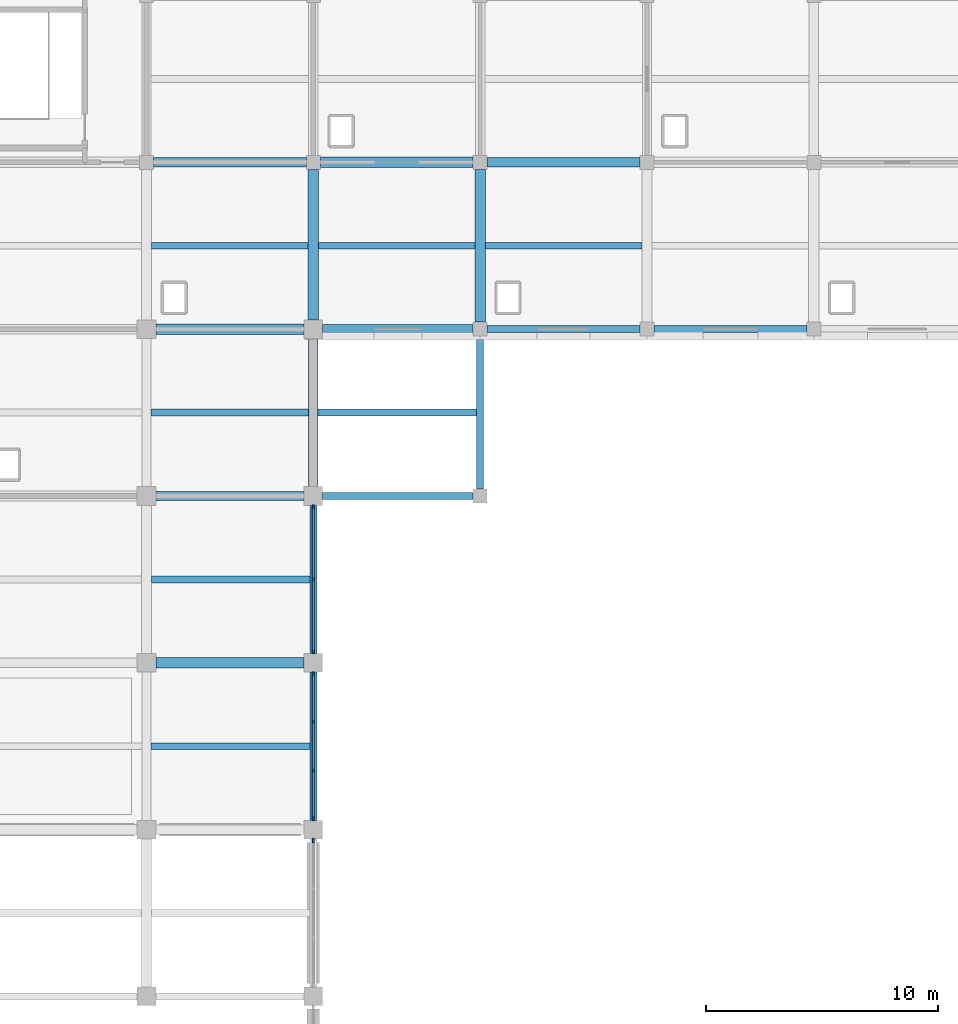
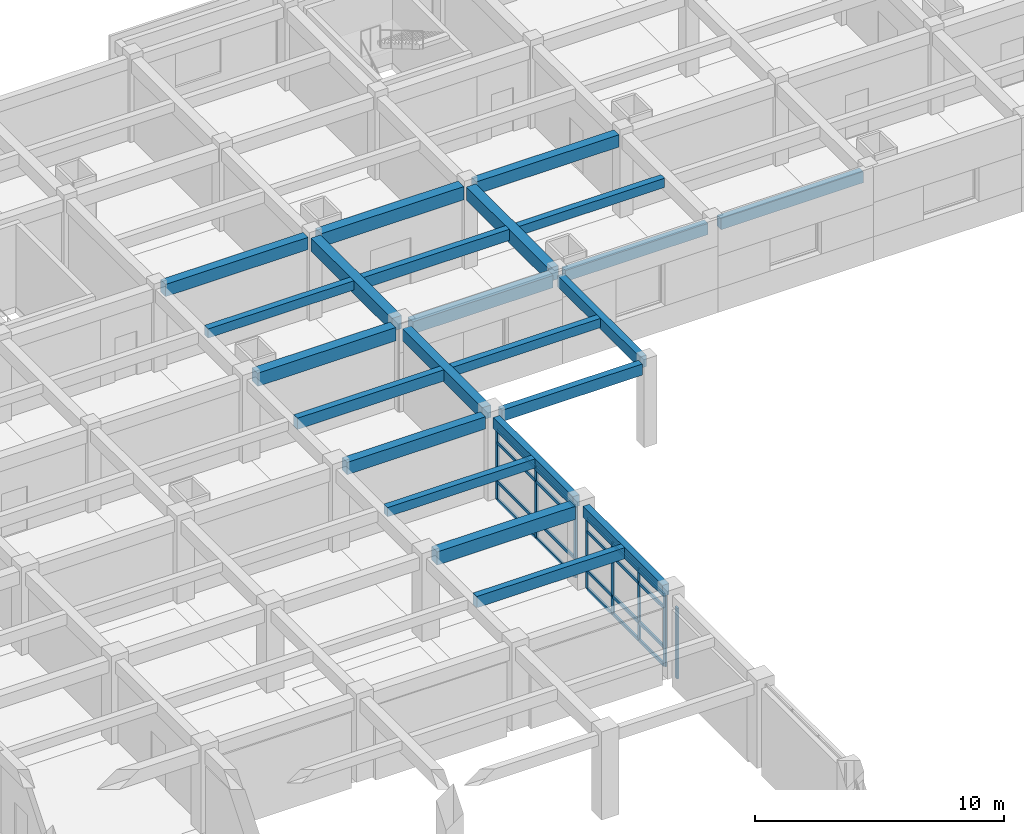
# One storey, part 13 of 70: 28 members, 23 beams, 3 elements without a shape of their own.
"""IFC4 building model written with IfcOpenShell, lengths in metres."""

import ifcopenshell
import ifcopenshell.guid

model = None  # the IFC model being written
_history = None  # IfcOwnerHistory: only IFC2X3 demands one
_inside = {}  # id of a spatial element -> (the spatial element, [elements in it])
_under = {}  # id of a project, library or spatial element -> (it, [spatial elements below it])
_declared = {}  # id of a project -> (the project, [libraries it declares])
_typed = {}  # id of a type object -> (the type object, [elements of that type])
_made_of = {}  # id of a material, layer set ... -> (it, [elements and type objects made of it])


def new_model(schema):
    """Start an empty IFC model of exactly this schema.

    Asked for "IFC4X3", IfcOpenShell would pick the latest addendum, in which some entities
    have other attributes; the version numbers below select the first issue.
    IFC2X3 requires an IfcOwnerHistory on every rooted entity: one is made here for all.
    """
    global model, _history
    if schema == "IFC4X3":
        model = ifcopenshell.file(schema_version=(4, 3, 0, 0))
    else:
        model = ifcopenshell.file(schema=schema)
    _inside.clear()
    _under.clear()
    _declared.clear()
    _typed.clear()
    _made_of.clear()
    _history = None
    if model.schema == "IFC2X3":
        org = make("IfcOrganization", Name="unknown")
        user = make(
            "IfcPersonAndOrganization",
            ThePerson=make("IfcPerson", FamilyName="unknown"),
            TheOrganization=org,
        )
        app = make(
            "IfcApplication",
            ApplicationDeveloper=org,
            Version="unknown",
            ApplicationFullName="unknown",
            ApplicationIdentifier="unknown",
        )
        _history = make(
            "IfcOwnerHistory",
            OwningUser=user,
            OwningApplication=app,
            ChangeAction="ADDED",
            CreationDate=0,
        )
    return model


def make(cls, **values):
    """One entity of the class cls with the attributes given. An attribute that is None is left unset."""
    return model.create_entity(
        cls, **{name: value for name, value in values.items() if value is not None}
    )


def rooted(cls, **values):
    """An entity with a GlobalId (a new one), such as an element, a storey or a relation."""
    return make(cls, GlobalId=ifcopenshell.guid.new(), OwnerHistory=_history, **values)


def si_unit(unit_type, name, prefix=None):
    """IfcSIUnit, for example si_unit("LENGTHUNIT", "METRE", prefix="MILLI")."""
    return make("IfcSIUnit", UnitType=unit_type, Prefix=prefix, Name=name)


def assignment(units):
    """IfcUnitAssignment: the units of a project."""
    return None if units is None else make("IfcUnitAssignment", Units=units)


def point(xyz):
    """IfcCartesianPoint."""
    return None if xyz is None else make("IfcCartesianPoint", Coordinates=xyz)


def direction(xyz):
    """IfcDirection."""
    return None if xyz is None else make("IfcDirection", DirectionRatios=xyz)


def frame(location, z_axis=None, x_axis=None):
    """IfcAxis2Placement3D, a coordinate frame: its origin and axes. An axis left out is left unset."""
    return make(
        "IfcAxis2Placement3D",
        Location=point(location),
        Axis=direction(z_axis),
        RefDirection=direction(x_axis),
    )


def frame_2d(location, x_axis=None):
    """IfcAxis2Placement2D, a coordinate frame in the plane: its origin and x axis."""
    return make(
        "IfcAxis2Placement2D", Location=point(location), RefDirection=direction(x_axis)
    )


def origin():
    """The frame at (0, 0, 0) with its axes left unset."""
    return frame((0.0, 0.0, 0.0))


def origin_2d():
    """The frame at (0, 0) in the plane with its x axis left unset."""
    return frame_2d((0.0, 0.0))


def place(relative_to, where):
    """IfcLocalPlacement: puts the frame where relative to a parent placement (None: the world)."""
    return make(
        "IfcLocalPlacement", PlacementRelTo=relative_to, RelativePlacement=where
    )


def context(
    kind, dimensions, precision=None, world=None, true_north=None, identifier=None
):
    """IfcGeometricRepresentationContext, for example the 3D "Model" context."""
    return make(
        "IfcGeometricRepresentationContext",
        ContextIdentifier=identifier,
        ContextType=kind,
        CoordinateSpaceDimension=dimensions,
        Precision=precision,
        WorldCoordinateSystem=world,
        TrueNorth=true_north,
    )


def subcontext(parent, identifier, kind, view, scale=None):
    """IfcGeometricRepresentationSubContext, for example "Body" below "Model"."""
    return make(
        "IfcGeometricRepresentationSubContext",
        ContextIdentifier=identifier,
        ContextType=kind,
        ParentContext=parent,
        TargetScale=scale,
        TargetView=view,
    )


def project(units=None, contexts=None):
    """IfcProject with its units and contexts."""
    return rooted(
        "IfcProject",
        Name="project",
        RepresentationContexts=contexts,
        UnitsInContext=assignment(units),
    )


def spatial(cls, under=None, at=None, **own):
    """A site, building, storey or space (cls), placed at a placement, below another one or the project."""
    s = rooted(cls, ObjectPlacement=at, **own)
    if under is not None:
        _under.setdefault(under.id(), (under, []))[1].append(s)
    return s


def profile(cls, at=None, kind="AREA", **sizes):
    """A parametric profile (cls). Its sizes go by their IFC names, for example OverallWidth=200.0."""
    return make(cls, ProfileType=kind, Position=at, **sizes)


def rectangle(**sizes):
    """IfcRectangleProfileDef."""
    return profile("IfcRectangleProfileDef", **sizes)


def extrude(swept, where, along, depth):
    """IfcExtrudedAreaSolid: the profile swept, set in the frame where, extruded along a direction by depth."""
    return make(
        "IfcExtrudedAreaSolid",
        SweptArea=swept,
        Position=where,
        ExtrudedDirection=direction(along),
        Depth=depth,
    )


def shape(context_of_items, identifier, shape_type, items):
    """IfcShapeRepresentation: the items that make up one representation, for example the "Body"."""
    return make(
        "IfcShapeRepresentation",
        ContextOfItems=context_of_items,
        RepresentationIdentifier=identifier,
        RepresentationType=shape_type,
        Items=items,
    )


def material(Name=None, Category=None):
    """IfcMaterial."""
    return make("IfcMaterial", Name=Name, Category=Category)


def layer(
    of_material, thickness, ventilated=None, Name=None, Category=None, Priority=None
):
    """IfcMaterialLayer: one layer of a wall or slab, of a material (None: an air gap)."""
    return make(
        "IfcMaterialLayer",
        Material=of_material,
        LayerThickness=thickness,
        IsVentilated=ventilated,
        Name=Name,
        Category=Category,
        Priority=Priority,
    )


def layer_set(layers, Name=None):
    """IfcMaterialLayerSet."""
    return make("IfcMaterialLayerSet", MaterialLayers=layers, LayerSetName=Name)


def material_profile(
    of_material, cross_section, Name=None, Category=None, Priority=None
):
    """IfcMaterialProfile: a cross section and its material."""
    return make(
        "IfcMaterialProfile",
        Name=Name,
        Material=of_material,
        Profile=cross_section,
        Priority=Priority,
        Category=Category,
    )


def profile_set(profiles, Name=None, composite=None):
    """IfcMaterialProfileSet."""
    return make(
        "IfcMaterialProfileSet",
        Name=Name,
        MaterialProfiles=profiles,
        CompositeProfile=composite,
    )


def made_of(thing, what):
    """Note that an element or type object is made of a material, layer set ...; save() writes the relation."""
    if what is not None:
        _made_of.setdefault(what.id(), (what, []))[1].append(thing)
    return thing


def type_object(cls, material=None, **own):
    """A type object (cls), such as IfcWallType, which elements share."""
    return made_of(rooted(cls, **own), material)


def element(
    cls,
    number,
    at=None,
    inside=None,
    cuts=None,
    type_object=None,
    material=None,
    context=None,
    identifier="Body",
    shape_type=None,
    held_by="IfcProductDefinitionShape",
    body=None,
    shapes=None,
    **own,
):
    """One element of the class cls, such as IfcWall. Its Tag is "e" and its number.

    at: its placement. inside: the storey or other place that contains it. cuts: it is an
    opening in that element (IfcRelVoidsElement). A single representation is given by context,
    identifier, shape_type and body (its items); several are given by shapes. held_by: the class
    of the entity that holds the representations. save() writes the other relations.
    """
    e = rooted(cls, Tag="e%d" % number, ObjectPlacement=at, **own)
    if body is not None:
        shapes = [shape(context, identifier, shape_type, body)]
    if shapes is not None:
        e.Representation = make(held_by, Representations=shapes)
    if inside is not None:
        _inside.setdefault(inside.id(), (inside, []))[1].append(e)
    if cuts is not None:
        rooted(
            "IfcRelVoidsElement", RelatingBuildingElement=cuts, RelatedOpeningElement=e
        )
    if type_object is not None:
        _typed.setdefault(type_object.id(), (type_object, []))[1].append(e)
    return made_of(e, material)


def aggregate(whole, parts):
    """IfcRelAggregates: a whole, such as a stair, and the parts it consists of."""
    return rooted("IfcRelAggregates", RelatingObject=whole, RelatedObjects=parts)


def save(model, path):
    """Write the relations noted so far, then the file.

    IfcRelAggregates (storeys below a building ...), IfcRelContainedInSpatialStructure (elements
    in a storey), IfcRelDefinesByType, IfcRelAssociatesMaterial and IfcRelDeclares: one each for
    every whole, place, type object, material and project.
    """
    for whole, parts in _under.values():
        aggregate(whole, parts)
    for where, things in _inside.values():
        rooted(
            "IfcRelContainedInSpatialStructure",
            RelatedElements=things,
            RelatingStructure=where,
        )
    for kind, things in _typed.values():
        rooted("IfcRelDefinesByType", RelatedObjects=things, RelatingType=kind)
    for what, things in _made_of.values():
        rooted("IfcRelAssociatesMaterial", RelatedObjects=things, RelatingMaterial=what)
    for by, libraries in _declared.values():
        rooted("IfcRelDeclares", RelatingContext=by, RelatedDefinitions=libraries)
    model.write(path)


model = new_model("IFC4")

# Units and contexts
model_context = context("Model", 3, precision=1e-05, world=origin(), true_north=direction((0.0, 1.0)))
body_context = subcontext(model_context, "Body", "Model", "MODEL_VIEW")
ifc_project = project(units=[si_unit("LENGTHUNIT", "METRE"), si_unit("AREAUNIT", "SQUARE_METRE"), si_unit("VOLUMEUNIT", "CUBIC_METRE"), si_unit("PLANEANGLEUNIT", "RADIAN"), si_unit("MASSUNIT", "GRAM", prefix="KILO")], contexts=[model_context])

# Site, building, storey
site_placement = place(None, origin())
site = spatial("IfcSite", under=ifc_project, at=site_placement, CompositionType="ELEMENT")
building_placement = place(site_placement, origin())
building = spatial("IfcBuilding", under=site, at=building_placement, Name="Kavelor Marine Aquarium", CompositionType="ELEMENT")
storey_placement = place(building_placement, frame((0.0, 0.0, 9.179931640625)))
storey = spatial("IfcBuildingStorey", under=building, at=storey_placement, Name="L02", CompositionType="ELEMENT", Elevation=9.179931640625)

# Beams
ifc_material_1 = material(Name="Concrete C40/50", Category="concrete")
ifc_material_profile_1 = material_profile(ifc_material_1, rectangle(XDim=0.449951171875, YDim=0.64990234375, at=origin_2d()), Name="RC-BM 450x650")
ifc_profile_set_1 = profile_set([ifc_material_profile_1], Name="Concrete C40/50")
beam_type_1 = type_object("IfcBeamType", Name="BM-B3", PredefinedType="BEAM", material=ifc_profile_set_1)
for number, where, z_axis, x_axis, name in (
    (1, (32.39990234375, 74.800048828125, 3.695068359375), (1.0, 0.0, 0.0), (0.0, 1.0, 0.0), "bm:x:L02:L03:04_10"),
    (2, (32.39990234375, 89.199951171875, 3.715087890625), (1.0, 0.0, 0.0), (0.0, 1.0, 0.0), "bm:x:L02:L03:04_12"),
):
    element("IfcBeam", number, at=place(storey_placement, frame(where, z_axis=z_axis, x_axis=x_axis)), inside=storey, type_object=beam_type_1, Name=name, PredefinedType="BEAM", context=body_context, shape_type="SweptSolid", body=[
        extrude(rectangle(XDim=0.449951171875, YDim=0.64990234375, at=origin_2d()), origin(), (0.0, 0.0, 1.0), 6.400146484375),
    ])
beam_1_placement = place(storey_placement, frame((39.5, 96.39990234375, 3.695068359375), z_axis=(1.0, 0.0, 0.0), x_axis=(0.0, 1.0, 0.0)))
element("IfcBeam", 3, at=beam_1_placement, inside=storey, type_object=beam_type_1, Name="bm:x:L02:L03:05_13", PredefinedType="BEAM", context=body_context, shape_type="SweptSolid", body=[
    extrude(rectangle(XDim=0.449951171875, YDim=0.64990234375, at=origin_2d()), origin(), (0.0, 0.0, 1.0), 6.60009765625),
])
beam_2_placement = place(storey_placement, frame((39.199951171875, 89.60009765625, 3.715087890625), z_axis=(0.0, 1.0, 0.0), x_axis=(-1.0, 0.0, 0.0)))
element("IfcBeam", 4, at=beam_2_placement, inside=storey, type_object=beam_type_1, Name="bm:y:L02:L03:05_12", PredefinedType="BEAM", context=body_context, shape_type="SweptSolid", body=[
    extrude(rectangle(XDim=0.449951171875, YDim=0.64990234375, at=origin_2d()), origin(), (0.0, 0.0, 1.0), 6.5),
])
beam_3_placement = place(storey_placement, frame((46.39990234375, 89.5, 3.695068359375), z_axis=(0.0, 1.0, 0.0), x_axis=(-1.0, 0.0, 0.0)))
element("IfcBeam", 5, at=beam_3_placement, inside=storey, type_object=beam_type_1, Name="bm:y:L02:L03:06_12", PredefinedType="BEAM", context=body_context, shape_type="SweptSolid", body=[
    extrude(rectangle(XDim=0.449951171875, YDim=0.64990234375, at=origin_2d()), origin(), (0.0, 0.0, 1.0), 6.60009765625),
])
ifc_material_2 = material(Name="Concrete C40/50", Category="concrete")
ifc_material_profile_2 = material_profile(ifc_material_2, rectangle(XDim=0.39990234375, YDim=0.60009765625, at=origin_2d()), Name="RC-BM 400x600")
ifc_profile_set_2 = profile_set([ifc_material_profile_2], Name="Concrete C40/50")
beam_type_2 = type_object("IfcBeamType", Name="BM-B4", PredefinedType="BEAM", material=ifc_profile_set_2)
beam_4_placement = place(storey_placement, frame((32.39990234375, 82.0, 3.719970703125), z_axis=(1.0, 0.0, 0.0), x_axis=(0.0, 1.0, 0.0)))
element("IfcBeam", 6, at=beam_4_placement, inside=storey, type_object=beam_type_2, Name="bm:x:L02:L03:04_11", PredefinedType="BEAM", context=body_context, shape_type="SweptSolid", body=[
    extrude(rectangle(XDim=0.39990234375, YDim=0.60009765625, at=origin_2d()), origin(), (0.0, 0.0, 1.0), 6.400146484375),
])
beam_5_placement = place(storey_placement, frame((32.300048828125, 96.39990234375, 3.739990234375), z_axis=(1.0, 0.0, 0.0), x_axis=(0.0, 1.0, 0.0)))
element("IfcBeam", 7, at=beam_5_placement, inside=storey, type_object=beam_type_2, Name="bm:x:L02:L03:04_13", PredefinedType="BEAM", context=body_context, shape_type="SweptSolid", body=[
    extrude(rectangle(XDim=0.39990234375, YDim=0.60009765625, at=origin_2d()), origin(), (0.0, 0.0, 1.0), 6.599853515625),
])
beam_6_placement = place(storey_placement, frame((39.60009765625, 89.199951171875, 3.719970703125), z_axis=(1.0, 0.0, 0.0), x_axis=(0.0, 1.0, 0.0)))
element("IfcBeam", 8, at=beam_6_placement, inside=storey, type_object=beam_type_2, Name="bm:x:L02:L03:05_12", PredefinedType="BEAM", context=body_context, shape_type="SweptSolid", body=[
    extrude(rectangle(XDim=0.39990234375, YDim=0.60009765625, at=origin_2d()), origin(), (0.0, 0.0, 1.0), 6.5),
])
beam_7_placement = place(storey_placement, frame((46.699951171875, 96.39990234375, 3.719970703125), z_axis=(1.0, 0.0, 0.0), x_axis=(0.0, 1.0, 0.0)))
element("IfcBeam", 9, at=beam_7_placement, inside=storey, type_object=beam_type_2, Name="bm:x:L02:L03:06_13", PredefinedType="BEAM", context=body_context, shape_type="SweptSolid", body=[
    extrude(rectangle(XDim=0.39990234375, YDim=0.60009765625, at=origin_2d()), origin(), (0.0, 0.0, 1.0), 6.60009765625),
])
beam_8_placement = place(storey_placement, frame((39.199951171875, 82.39990234375, 3.719970703125), z_axis=(0.0, 1.0, 0.0), x_axis=(-1.0, 0.0, 0.0)))
element("IfcBeam", 10, at=beam_8_placement, inside=storey, type_object=beam_type_2, Name="bm:y:L02:L03:05_11", PredefinedType="BEAM", context=body_context, shape_type="SweptSolid", body=[
    extrude(rectangle(XDim=0.39990234375, YDim=0.60009765625, at=origin_2d()), origin(), (0.0, 0.0, 1.0), 6.400146484375),
])
ifc_material_3 = material(Name="Concrete C40/50", Category="concrete")
ifc_material_profile_3 = material_profile(ifc_material_3, rectangle(XDim=0.300048828125, YDim=0.449951171875, at=origin_2d()), Name="RC-JS 300x450")
ifc_profile_set_3 = profile_set([ifc_material_profile_3], Name="Concrete C40/50")
beam_type_3 = type_object("IfcBeamType", Name="BM-JS1", PredefinedType="JOIST", material=ifc_profile_set_3)
beam_9_placement = place(storey_placement, frame((32.22509765625, 78.39990234375, 3.795166015625), z_axis=(1.0, 0.0, 0.0), x_axis=(0.0, 1.0, 0.0)))
element("IfcBeam", 11, at=beam_9_placement, inside=storey, type_object=beam_type_3, Name="js:L02:L03:04_10", PredefinedType="JOIST", context=body_context, shape_type="SweptSolid", body=[
    extrude(rectangle(XDim=0.300048828125, YDim=0.449951171875, at=origin_2d()), origin(), (0.0, 0.0, 1.0), 6.824951171875),
])
beam_10_placement = place(storey_placement, frame((32.22509765625, 92.800048828125, 3.815185546875), z_axis=(1.0, 0.0, 0.0), x_axis=(0.0, 1.0, 0.0)))
element("IfcBeam", 12, at=beam_10_placement, inside=storey, type_object=beam_type_3, Name="js:L02:L03:04_12", PredefinedType="JOIST", context=body_context, shape_type="SweptSolid", body=[
    extrude(rectangle(XDim=0.300048828125, YDim=0.449951171875, at=origin_2d()), origin(), (0.0, 0.0, 1.0), 6.75),
])
beam_11_placement = place(storey_placement, frame((39.39990234375, 85.60009765625, 3.795166015625), z_axis=(1.0, 0.0, 0.0), x_axis=(0.0, 1.0, 0.0)))
element("IfcBeam", 13, at=beam_11_placement, inside=storey, type_object=beam_type_3, Name="js:L02:L03:05_11", PredefinedType="JOIST", context=body_context, shape_type="SweptSolid", body=[
    extrude(rectangle(XDim=0.300048828125, YDim=0.449951171875, at=origin_2d()), origin(), (0.0, 0.0, 1.0), 6.85009765625),
])
beam_12_placement = place(storey_placement, frame((46.625, 92.800048828125, 3.795166015625), z_axis=(1.0, 0.0, 0.0), x_axis=(0.0, 1.0, 0.0)))
element("IfcBeam", 14, at=beam_12_placement, inside=storey, type_object=beam_type_3, Name="js:L02:L03:06_12", PredefinedType="JOIST", context=body_context, shape_type="SweptSolid", body=[
    extrude(rectangle(XDim=0.300048828125, YDim=0.449951171875, at=origin_2d()), origin(), (0.0, 0.0, 1.0), 6.75),
])
ifc_material_4 = material(Name="Concrete C40/50", Category="concrete")
ifc_material_profile_4 = material_profile(ifc_material_4, rectangle(XDim=0.300048828125, YDim=0.550048828125, at=origin_2d()), Name="RC-JS 300x550")
ifc_profile_set_4 = profile_set([ifc_material_profile_4], Name="Concrete C40/50")
beam_type_4 = type_object("IfcBeamType", Name="BM-JS2", PredefinedType="JOIST", material=ifc_profile_set_4)
beam_13_placement = place(storey_placement, frame((32.199951171875, 71.199951171875, 3.76513671875), z_axis=(1.0, 0.0, 0.0), x_axis=(0.0, 1.0, 0.0)))
element("IfcBeam", 15, at=beam_13_placement, inside=storey, type_object=beam_type_4, Name="js:L02:L03:04_09", PredefinedType="JOIST", context=body_context, shape_type="SweptSolid", body=[
    extrude(rectangle(XDim=0.300048828125, YDim=0.550048828125, at=origin_2d()), origin(), (0.0, 0.0, 1.0), 6.85009765625),
])
beam_14_placement = place(storey_placement, frame((32.199951171875, 85.60009765625, 3.76513671875), z_axis=(1.0, 0.0, 0.0), x_axis=(0.0, 1.0, 0.0)))
element("IfcBeam", 16, at=beam_14_placement, inside=storey, type_object=beam_type_4, Name="js:L02:L03:04_11", PredefinedType="JOIST", context=body_context, shape_type="SweptSolid", body=[
    extrude(rectangle(XDim=0.300048828125, YDim=0.550048828125, at=origin_2d()), origin(), (0.0, 0.0, 1.0), 6.800048828125),
])
beam_15_placement = place(storey_placement, frame((39.425048828125, 92.800048828125, 3.76513671875), z_axis=(1.0, 0.0, 0.0), x_axis=(0.0, 1.0, 0.0)))
element("IfcBeam", 17, at=beam_15_placement, inside=storey, type_object=beam_type_4, Name="js:L02:L03:05_12", PredefinedType="JOIST", context=body_context, shape_type="SweptSolid", body=[
    extrude(rectangle(XDim=0.300048828125, YDim=0.550048828125, at=origin_2d()), origin(), (0.0, 0.0, 1.0), 6.75),
])
ifc_material_5 = material(Name="Concrete C40/50", Category="concrete")
ifc_material_profile_5 = material_profile(ifc_material_5, rectangle(XDim=0.300048828125, YDim=0.550048828125, at=origin_2d()), Name="RC-SP 300x550")
ifc_profile_set_5 = profile_set([ifc_material_profile_5], Name="Concrete C40/50")
beam_type_5 = type_object("IfcBeamType", Name="BM-SP2", PredefinedType="SPANDREL", material=ifc_profile_set_5)
beam_16_placement = place(storey_placement, frame((39.60009765625, 82.0, 3.7451171875), z_axis=(1.0, 0.0, 0.0), x_axis=(0.0, 1.0, 0.0)))
element("IfcBeam", 18, at=beam_16_placement, inside=storey, type_object=beam_type_5, Name="bm:x:L02:L03:05_11", PredefinedType="SPANDREL", context=body_context, shape_type="SweptSolid", body=[
    extrude(rectangle(XDim=0.300048828125, YDim=0.550048828125, at=origin_2d()), origin(), (0.0, 0.0, 1.0), 6.5),
])
for number, where, z_axis, x_axis, name in (
    (19, (46.699951171875, 89.199951171875, 3.7451171875), (1.0, 0.0, 0.0), (0.0, 1.0, 0.0), "bm:x:L02:L03:06_12"),
    (20, (53.89990234375, 89.199951171875, 3.76513671875), (1.0, 0.0, 0.0), (0.0, 1.0, 0.0), "bm:x:L02:L03:07_12"),
):
    element("IfcBeam", number, at=place(storey_placement, frame(where, z_axis=z_axis, x_axis=x_axis)), inside=storey, type_object=beam_type_5, Name=name, PredefinedType="SPANDREL", context=body_context, shape_type="SweptSolid", body=[
        extrude(rectangle(XDim=0.300048828125, YDim=0.550048828125, at=origin_2d()), origin(), (0.0, 0.0, 1.0), 6.60009765625),
    ])
beam_17_placement = place(storey_placement, frame((39.199951171875, 68.0, 3.76513671875), z_axis=(0.0, 1.0, 0.0), x_axis=(-1.0, 0.0, 0.0)))
element("IfcBeam", 21, at=beam_17_placement, inside=storey, type_object=beam_type_5, Name="bm:y:L02:L03:05_09", PredefinedType="SPANDREL", context=body_context, shape_type="SweptSolid", body=[
    extrude(rectangle(XDim=0.300048828125, YDim=0.550048828125, at=origin_2d()), origin(), (0.0, 0.0, 1.0), 6.39990234375),
])
beam_18_placement = place(storey_placement, frame((39.199951171875, 75.199951171875, 3.7451171875), z_axis=(0.0, 1.0, 0.0), x_axis=(-1.0, 0.0, 0.0)))
element("IfcBeam", 22, at=beam_18_placement, inside=storey, type_object=beam_type_5, Name="bm:y:L02:L03:05_10", PredefinedType="SPANDREL", context=body_context, shape_type="SweptSolid", body=[
    extrude(rectangle(XDim=0.300048828125, YDim=0.550048828125, at=origin_2d()), origin(), (0.0, 0.0, 1.0), 6.400146484375),
])
beam_19_placement = place(storey_placement, frame((46.39990234375, 82.300048828125, 3.7451171875), z_axis=(0.0, 1.0, 0.0), x_axis=(-1.0, 0.0, 0.0)))
element("IfcBeam", 23, at=beam_19_placement, inside=storey, type_object=beam_type_5, Name="bm:y:L02:L03:06_11", PredefinedType="SPANDREL", context=body_context, shape_type="SweptSolid", body=[
    extrude(rectangle(XDim=0.300048828125, YDim=0.550048828125, at=origin_2d()), origin(), (0.0, 0.0, 1.0), 6.599853515625),
])

# Curtain wall, members
ifc_material_6 = material(Name="Thermally Broken Aluminium and Low-E Glass", Category="aluminium")
ifc_layer_1 = layer(ifc_material_6, 0.31591796875)
ifc_layer_set_1 = layer_set([ifc_layer_1], Name="CW-SYS22")
curtain_wall_type_1 = type_object("IfcCurtainWallType", Name="CW-SYS22", PredefinedType="USERDEFINED", material=ifc_layer_set_1)
curtain_wall_1_placement = place(storey_placement, origin())
curtain_wall_1 = element("IfcCurtainWall", 24, at=curtain_wall_1_placement, inside=storey, type_object=curtain_wall_type_1, Name="cw:y:L02:05_09", ObjectType="Curtain Wall", PredefinedType="USERDEFINED")
ifc_material_7 = material(Name="Anodised Aluminium Alloy 6063-T6", Category="aluminium")
ifc_material_profile_6 = material_profile(ifc_material_7, rectangle(XDim=0.074951171875, YDim=0.179931640625, at=origin_2d()), Name="CW-MUL 75x180")
ifc_profile_set_6 = profile_set([ifc_material_profile_6], Name="Anodised Aluminium Alloy 6063-T6")
member_type_1 = type_object("IfcMemberType", Name="CWM-1", PredefinedType="MULLION", material=ifc_profile_set_6)
member_1_placement = place(storey_placement, frame((39.199951171875, 68.08251953125, 0.0), z_axis=(0.0, 0.0, 1.0), x_axis=(-1.0, 0.0, 0.0)))
member_1 = element("IfcMember", 25, at=member_1_placement, type_object=member_type_1, Name="CW22 mullion 1", PredefinedType="MULLION", context=body_context, shape_type="SweptSolid", body=[
    extrude(rectangle(XDim=0.074951171875, YDim=0.179931640625, at=origin_2d()), origin(), (0.0, 0.0, 1.0), 3.47998046875),
])
member_2_placement = place(storey_placement, frame((39.199951171875, 70.1484375, 0.0), z_axis=(0.0, 0.0, 1.0), x_axis=(-1.0, 0.0, 0.0)))
member_2 = element("IfcMember", 26, at=member_2_placement, type_object=member_type_1, Name="CW22 mullion 2", PredefinedType="MULLION", context=body_context, shape_type="SweptSolid", body=[
    extrude(rectangle(XDim=0.074951171875, YDim=0.179931640625, at=origin_2d()), origin(), (0.0, 0.0, 1.0), 3.47998046875),
])
member_3_placement = place(storey_placement, frame((39.199951171875, 72.251708984375, 0.0), z_axis=(0.0, 0.0, 1.0), x_axis=(-1.0, 0.0, 0.0)))
member_3 = element("IfcMember", 27, at=member_3_placement, type_object=member_type_1, Name="CW22 mullion 3", PredefinedType="MULLION", context=body_context, shape_type="SweptSolid", body=[
    extrude(rectangle(XDim=0.074951171875, YDim=0.179931640625, at=origin_2d()), origin(), (0.0, 0.0, 1.0), 3.47998046875),
])
member_4_placement = place(storey_placement, frame((39.199951171875, 74.3173828125, 0.0), z_axis=(0.0, 0.0, 1.0), x_axis=(-1.0, 0.0, 0.0)))
member_4 = element("IfcMember", 28, at=member_4_placement, type_object=member_type_1, Name="CW22 mullion 4", PredefinedType="MULLION", context=body_context, shape_type="SweptSolid", body=[
    extrude(rectangle(XDim=0.074951171875, YDim=0.179931640625, at=origin_2d()), origin(), (0.0, 0.0, 1.0), 3.47998046875),
])

ifc_material_8 = material(Name="Thermally Broken Aluminium and Low-E Glass", Category="aluminium")
ifc_layer_2 = layer(ifc_material_8, 0.323974609375)
ifc_layer_set_2 = layer_set([ifc_layer_2], Name="CW-SYS23")
curtain_wall_type_2 = type_object("IfcCurtainWallType", Name="CW-SYS23", PredefinedType="USERDEFINED", material=ifc_layer_set_2)
curtain_wall_2_placement = place(storey_placement, origin())
curtain_wall_2 = element("IfcCurtainWall", 29, at=curtain_wall_2_placement, inside=storey, type_object=curtain_wall_type_2, Name="cw:y:L02:05_10", ObjectType="Curtain Wall", PredefinedType="USERDEFINED")
ifc_material_9 = material(Name="Anodised Aluminium Alloy 6063-T6", Category="aluminium")
ifc_material_profile_7 = material_profile(ifc_material_9, rectangle(XDim=0.080078125, YDim=0.18505859375, at=origin_2d()), Name="CW-MUL 80x185")
ifc_profile_set_7 = profile_set([ifc_material_profile_7], Name="Anodised Aluminium Alloy 6063-T6")
member_type_2 = type_object("IfcMemberType", Name="CWM-2", PredefinedType="MULLION", material=ifc_profile_set_7)
member_5_placement = place(storey_placement, frame((39.199951171875, 75.277587890625, 0.0), z_axis=(0.0, 0.0, 1.0), x_axis=(-1.0, 0.0, 0.0)))
member_5 = element("IfcMember", 30, at=member_5_placement, type_object=member_type_2, Name="CW23 mullion 1", PredefinedType="MULLION", context=body_context, shape_type="SweptSolid", body=[
    extrude(rectangle(XDim=0.080078125, YDim=0.18505859375, at=origin_2d()), origin(), (0.0, 0.0, 1.0), 3.4599609375),
])
member_6_placement = place(storey_placement, frame((39.199951171875, 78.39990234375, 0.0), z_axis=(0.0, 0.0, 1.0), x_axis=(-1.0, 0.0, 0.0)))
member_6 = element("IfcMember", 31, at=member_6_placement, type_object=member_type_2, Name="CW23 mullion 2", PredefinedType="MULLION", context=body_context, shape_type="SweptSolid", body=[
    extrude(rectangle(XDim=0.080078125, YDim=0.18505859375, at=origin_2d()), origin(), (0.0, 0.0, 1.0), 3.4599609375),
])
member_7_placement = place(storey_placement, frame((39.199951171875, 81.5224609375, 0.0), z_axis=(0.0, 0.0, 1.0), x_axis=(-1.0, 0.0, 0.0)))
member_7 = element("IfcMember", 32, at=member_7_placement, type_object=member_type_2, Name="CW23 mullion 3", PredefinedType="MULLION", context=body_context, shape_type="SweptSolid", body=[
    extrude(rectangle(XDim=0.080078125, YDim=0.18505859375, at=origin_2d()), origin(), (0.0, 0.0, 1.0), 3.4599609375),
])

# Curtain wall, member
ifc_material_10 = material(Name="Thermally Broken Aluminium and Low-E Glass", Category="aluminium")
ifc_layer_3 = layer(ifc_material_10, 0.30810546875)
ifc_layer_set_3 = layer_set([ifc_layer_3], Name="CW-SYS21")
curtain_wall_type_3 = type_object("IfcCurtainWallType", Name="CW-SYS21", PredefinedType="USERDEFINED", material=ifc_layer_set_3)
curtain_wall_3_placement = place(storey_placement, origin())
curtain_wall_3 = element("IfcCurtainWall", 33, at=curtain_wall_3_placement, inside=storey, type_object=curtain_wall_type_3, Name="cw:y:L02:05_08", ObjectType="Curtain Wall", PredefinedType="USERDEFINED")
ifc_material_11 = material(Name="Anodised Aluminium Alloy 6063-T6", Category="aluminium")
ifc_material_profile_8 = material_profile(ifc_material_11, rectangle(XDim=0.0849609375, YDim=0.18994140625, at=origin_2d()), Name="CW-MUL 85x190")
ifc_profile_set_8 = profile_set([ifc_material_profile_8], Name="Anodised Aluminium Alloy 6063-T6")
member_type_3 = type_object("IfcMemberType", Name="CWM-3", PredefinedType="MULLION", material=ifc_profile_set_8)
member_8_placement = place(storey_placement, frame((39.199951171875, 67.125, 0.0), z_axis=(0.0, 0.0, 1.0), x_axis=(-1.0, 0.0, 0.0)))
member_8 = element("IfcMember", 34, at=member_8_placement, type_object=member_type_3, Name="CW21 mullion 4", PredefinedType="MULLION", context=body_context, shape_type="SweptSolid", body=[
    extrude(rectangle(XDim=0.0849609375, YDim=0.18994140625, at=origin_2d()), origin(), (0.0, 0.0, 1.0), 3.4599609375),
])
aggregate(curtain_wall_3, [member_8])

# Member
ifc_material_12 = material(Name="Anodised Aluminium Alloy 6063-T6", Category="aluminium")
ifc_material_profile_9 = material_profile(ifc_material_12, rectangle(XDim=0.0849609375, YDim=0.159912109375, at=origin_2d()), Name="CW-TRN 85x160")
ifc_profile_set_9 = profile_set([ifc_material_profile_9], Name="Anodised Aluminium Alloy 6063-T6")
member_type_4 = type_object("IfcMemberType", Name="CWT-3", PredefinedType="USERDEFINED", material=ifc_profile_set_9)
member_9_placement = place(storey_placement, frame((39.199951171875, 68.1201171875, 0.030029296875), z_axis=(0.0, 1.0, 0.0), x_axis=(-1.0, 0.0, 0.0)))
member_9 = element("IfcMember", 35, at=member_9_placement, type_object=member_type_4, Name="CW22 transom 1.1", ObjectType="TRANSOM", PredefinedType="USERDEFINED", context=body_context, shape_type="SweptSolid", body=[
    extrude(rectangle(XDim=0.0849609375, YDim=0.159912109375, at=origin_2d()), origin(), (0.0, 0.0, 1.0), 1.99072265625),
])

member_10_placement = place(storey_placement, frame((39.199951171875, 68.1201171875, 0.900146484375), z_axis=(0.0, 1.0, 0.0), x_axis=(-1.0, 0.0, 0.0)))
member_10 = element("IfcMember", 36, at=member_10_placement, type_object=member_type_4, Name="CW22 transom 1.2", ObjectType="TRANSOM", PredefinedType="USERDEFINED", context=body_context, shape_type="SweptSolid", body=[
    extrude(rectangle(XDim=0.0849609375, YDim=0.159912109375, at=origin_2d()), origin(), (0.0, 0.0, 1.0), 1.99072265625),
])

member_11_placement = place(storey_placement, frame((39.199951171875, 68.1201171875, 2.830078125), z_axis=(0.0, 1.0, 0.0), x_axis=(-1.0, 0.0, 0.0)))
member_11 = element("IfcMember", 37, at=member_11_placement, type_object=member_type_4, Name="CW22 transom 1.3", ObjectType="TRANSOM", PredefinedType="USERDEFINED", context=body_context, shape_type="SweptSolid", body=[
    extrude(rectangle(XDim=0.0849609375, YDim=0.159912109375, at=origin_2d()), origin(), (0.0, 0.0, 1.0), 1.99072265625),
])

member_12_placement = place(storey_placement, frame((39.199951171875, 68.1201171875, 3.449951171875), z_axis=(0.0, 1.0, 0.0), x_axis=(-1.0, 0.0, 0.0)))
member_12 = element("IfcMember", 38, at=member_12_placement, type_object=member_type_4, Name="CW22 transom 1.4", ObjectType="TRANSOM", PredefinedType="USERDEFINED", context=body_context, shape_type="SweptSolid", body=[
    extrude(rectangle(XDim=0.0849609375, YDim=0.159912109375, at=origin_2d()), origin(), (0.0, 0.0, 1.0), 1.99072265625),
])

member_13_placement = place(storey_placement, frame((39.199951171875, 70.185791015625, 0.030029296875), z_axis=(0.0, 1.0, 0.0), x_axis=(-1.0, 0.0, 0.0)))
member_13 = element("IfcMember", 39, at=member_13_placement, type_object=member_type_4, Name="CW22 transom 2.1", ObjectType="TRANSOM", PredefinedType="USERDEFINED", context=body_context, shape_type="SweptSolid", body=[
    extrude(rectangle(XDim=0.0849609375, YDim=0.159912109375, at=origin_2d()), origin(), (0.0, 0.0, 1.0), 2.0283203125),
])

member_14_placement = place(storey_placement, frame((39.199951171875, 70.185791015625, 0.900146484375), z_axis=(0.0, 1.0, 0.0), x_axis=(-1.0, 0.0, 0.0)))
member_14 = element("IfcMember", 40, at=member_14_placement, type_object=member_type_4, Name="CW22 transom 2.2", ObjectType="TRANSOM", PredefinedType="USERDEFINED", context=body_context, shape_type="SweptSolid", body=[
    extrude(rectangle(XDim=0.0849609375, YDim=0.159912109375, at=origin_2d()), origin(), (0.0, 0.0, 1.0), 2.0283203125),
])

member_15_placement = place(storey_placement, frame((39.199951171875, 70.185791015625, 2.830078125), z_axis=(0.0, 1.0, 0.0), x_axis=(-1.0, 0.0, 0.0)))
member_15 = element("IfcMember", 41, at=member_15_placement, type_object=member_type_4, Name="CW22 transom 2.3", ObjectType="TRANSOM", PredefinedType="USERDEFINED", context=body_context, shape_type="SweptSolid", body=[
    extrude(rectangle(XDim=0.0849609375, YDim=0.159912109375, at=origin_2d()), origin(), (0.0, 0.0, 1.0), 2.0283203125),
])

member_16_placement = place(storey_placement, frame((39.199951171875, 70.185791015625, 3.449951171875), z_axis=(0.0, 1.0, 0.0), x_axis=(-1.0, 0.0, 0.0)))
member_16 = element("IfcMember", 42, at=member_16_placement, type_object=member_type_4, Name="CW22 transom 2.4", ObjectType="TRANSOM", PredefinedType="USERDEFINED", context=body_context, shape_type="SweptSolid", body=[
    extrude(rectangle(XDim=0.0849609375, YDim=0.159912109375, at=origin_2d()), origin(), (0.0, 0.0, 1.0), 2.0283203125),
])

member_17_placement = place(storey_placement, frame((39.199951171875, 72.2890625, 0.030029296875), z_axis=(0.0, 1.0, 0.0), x_axis=(-1.0, 0.0, 0.0)))
member_17 = element("IfcMember", 43, at=member_17_placement, type_object=member_type_4, Name="CW22 transom 3.1", ObjectType="TRANSOM", PredefinedType="USERDEFINED", context=body_context, shape_type="SweptSolid", body=[
    extrude(rectangle(XDim=0.0849609375, YDim=0.159912109375, at=origin_2d()), origin(), (0.0, 0.0, 1.0), 1.990966796875),
])

member_18_placement = place(storey_placement, frame((39.199951171875, 72.2890625, 0.900146484375), z_axis=(0.0, 1.0, 0.0), x_axis=(-1.0, 0.0, 0.0)))
member_18 = element("IfcMember", 44, at=member_18_placement, type_object=member_type_4, Name="CW22 transom 3.2", ObjectType="TRANSOM", PredefinedType="USERDEFINED", context=body_context, shape_type="SweptSolid", body=[
    extrude(rectangle(XDim=0.0849609375, YDim=0.159912109375, at=origin_2d()), origin(), (0.0, 0.0, 1.0), 1.990966796875),
])

member_19_placement = place(storey_placement, frame((39.199951171875, 72.2890625, 2.830078125), z_axis=(0.0, 1.0, 0.0), x_axis=(-1.0, 0.0, 0.0)))
member_19 = element("IfcMember", 45, at=member_19_placement, type_object=member_type_4, Name="CW22 transom 3.3", ObjectType="TRANSOM", PredefinedType="USERDEFINED", context=body_context, shape_type="SweptSolid", body=[
    extrude(rectangle(XDim=0.0849609375, YDim=0.159912109375, at=origin_2d()), origin(), (0.0, 0.0, 1.0), 1.990966796875),
])

member_20_placement = place(storey_placement, frame((39.199951171875, 72.2890625, 3.449951171875), z_axis=(0.0, 1.0, 0.0), x_axis=(-1.0, 0.0, 0.0)))
member_20 = element("IfcMember", 46, at=member_20_placement, type_object=member_type_4, Name="CW22 transom 3.4", ObjectType="TRANSOM", PredefinedType="USERDEFINED", context=body_context, shape_type="SweptSolid", body=[
    extrude(rectangle(XDim=0.0849609375, YDim=0.159912109375, at=origin_2d()), origin(), (0.0, 0.0, 1.0), 1.990966796875),
])

aggregate(curtain_wall_1, [member_1, member_2, member_3, member_4, member_9, member_10, member_11, member_12, member_13, member_14, member_15, member_16, member_17, member_18, member_19, member_20])

member_21_placement = place(storey_placement, frame((39.199951171875, 75.31005859375, 0.030029296875), z_axis=(0.0, 1.0, 0.0), x_axis=(-1.0, 0.0, 0.0)))
member_21 = element("IfcMember", 47, at=member_21_placement, type_object=member_type_4, Name="CW23 transom 1.1", ObjectType="TRANSOM", PredefinedType="USERDEFINED", context=body_context, shape_type="SweptSolid", body=[
    extrude(rectangle(XDim=0.0849609375, YDim=0.159912109375, at=origin_2d()), origin(), (0.0, 0.0, 1.0), 3.057373046875),
])

member_22_placement = place(storey_placement, frame((39.199951171875, 75.31005859375, 0.900146484375), z_axis=(0.0, 1.0, 0.0), x_axis=(-1.0, 0.0, 0.0)))
member_22 = element("IfcMember", 48, at=member_22_placement, type_object=member_type_4, Name="CW23 transom 1.2", ObjectType="TRANSOM", PredefinedType="USERDEFINED", context=body_context, shape_type="SweptSolid", body=[
    extrude(rectangle(XDim=0.0849609375, YDim=0.159912109375, at=origin_2d()), origin(), (0.0, 0.0, 1.0), 3.057373046875),
])

member_23_placement = place(storey_placement, frame((39.199951171875, 75.31005859375, 2.81005859375), z_axis=(0.0, 1.0, 0.0), x_axis=(-1.0, 0.0, 0.0)))
member_23 = element("IfcMember", 49, at=member_23_placement, type_object=member_type_4, Name="CW23 transom 1.3", ObjectType="TRANSOM", PredefinedType="USERDEFINED", context=body_context, shape_type="SweptSolid", body=[
    extrude(rectangle(XDim=0.0849609375, YDim=0.159912109375, at=origin_2d()), origin(), (0.0, 0.0, 1.0), 3.057373046875),
])

member_24_placement = place(storey_placement, frame((39.199951171875, 75.31005859375, 3.43017578125), z_axis=(0.0, 1.0, 0.0), x_axis=(-1.0, 0.0, 0.0)))
member_24 = element("IfcMember", 50, at=member_24_placement, type_object=member_type_4, Name="CW23 transom 1.4", ObjectType="TRANSOM", PredefinedType="USERDEFINED", context=body_context, shape_type="SweptSolid", body=[
    extrude(rectangle(XDim=0.0849609375, YDim=0.159912109375, at=origin_2d()), origin(), (0.0, 0.0, 1.0), 3.057373046875),
])

member_25_placement = place(storey_placement, frame((39.199951171875, 78.4326171875, 0.030029296875), z_axis=(0.0, 1.0, 0.0), x_axis=(-1.0, 0.0, 0.0)))
member_25 = element("IfcMember", 51, at=member_25_placement, type_object=member_type_4, Name="CW23 transom 2.1", ObjectType="TRANSOM", PredefinedType="USERDEFINED", context=body_context, shape_type="SweptSolid", body=[
    extrude(rectangle(XDim=0.0849609375, YDim=0.159912109375, at=origin_2d()), origin(), (0.0, 0.0, 1.0), 3.057373046875),
])

member_26_placement = place(storey_placement, frame((39.199951171875, 78.4326171875, 0.900146484375), z_axis=(0.0, 1.0, 0.0), x_axis=(-1.0, 0.0, 0.0)))
member_26 = element("IfcMember", 52, at=member_26_placement, type_object=member_type_4, Name="CW23 transom 2.2", ObjectType="TRANSOM", PredefinedType="USERDEFINED", context=body_context, shape_type="SweptSolid", body=[
    extrude(rectangle(XDim=0.0849609375, YDim=0.159912109375, at=origin_2d()), origin(), (0.0, 0.0, 1.0), 3.057373046875),
])

member_27_placement = place(storey_placement, frame((39.199951171875, 78.4326171875, 2.81005859375), z_axis=(0.0, 1.0, 0.0), x_axis=(-1.0, 0.0, 0.0)))
member_27 = element("IfcMember", 53, at=member_27_placement, type_object=member_type_4, Name="CW23 transom 2.3", ObjectType="TRANSOM", PredefinedType="USERDEFINED", context=body_context, shape_type="SweptSolid", body=[
    extrude(rectangle(XDim=0.0849609375, YDim=0.159912109375, at=origin_2d()), origin(), (0.0, 0.0, 1.0), 3.057373046875),
])

member_28_placement = place(storey_placement, frame((39.199951171875, 78.4326171875, 3.43017578125), z_axis=(0.0, 1.0, 0.0), x_axis=(-1.0, 0.0, 0.0)))
member_28 = element("IfcMember", 54, at=member_28_placement, type_object=member_type_4, Name="CW23 transom 2.4", ObjectType="TRANSOM", PredefinedType="USERDEFINED", context=body_context, shape_type="SweptSolid", body=[
    extrude(rectangle(XDim=0.0849609375, YDim=0.159912109375, at=origin_2d()), origin(), (0.0, 0.0, 1.0), 3.057373046875),
])

aggregate(curtain_wall_2, [member_5, member_6, member_7, member_21, member_22, member_23, member_24, member_25, member_26, member_27, member_28])

save(model, "model.ifc")
